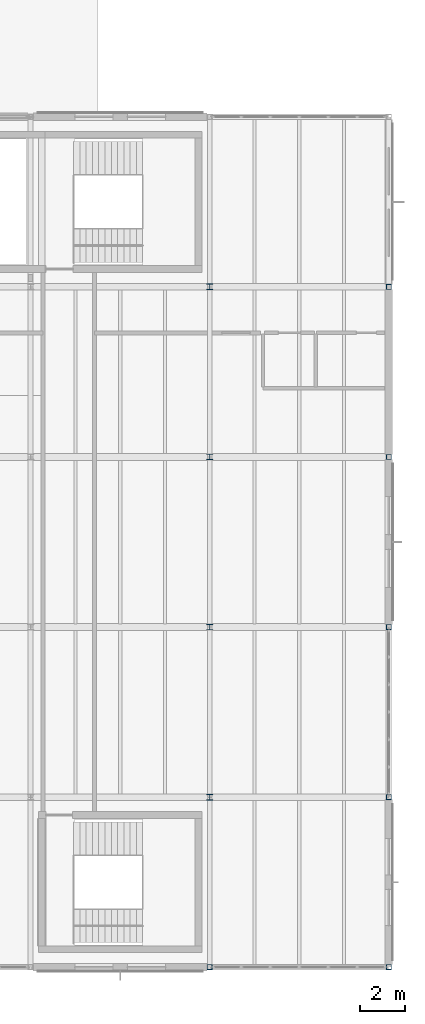
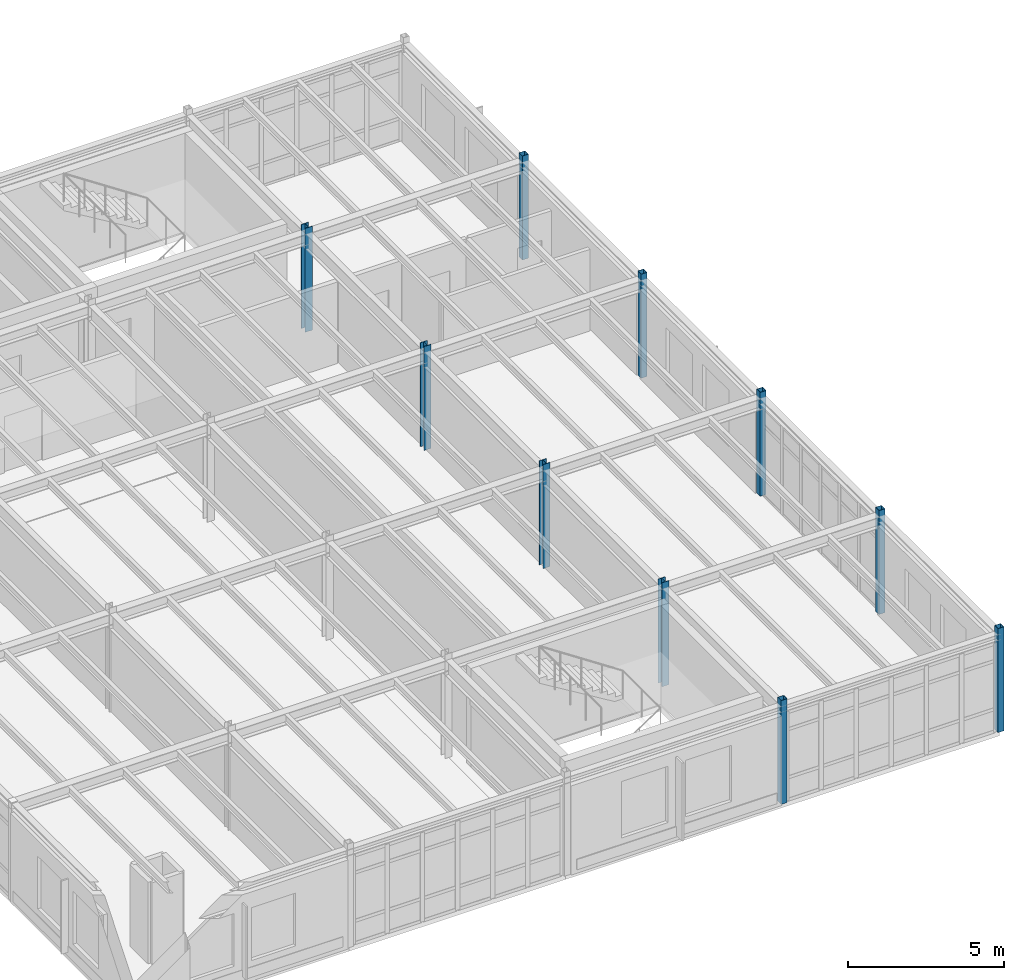
# One storey, part 14 of 114: 10 columns.
"""IFC4 building model written with IfcOpenShell, lengths in metres."""

from ifc_helpers import new_model, si_unit, direction, frame, origin, origin_2d, place, context, subcontext, project, spatial, hollow_rectangle, i_section, extrude, material, material_profile, profile_set, type_object, element, save


model = new_model("IFC4")

# Units and contexts
model_context = context("Model", 3, precision=1e-05, world=origin(), true_north=direction((0.0, 1.0)))
body_context = subcontext(model_context, "Body", "Model", "MODEL_VIEW")
ifc_project = project(units=[si_unit("LENGTHUNIT", "METRE"), si_unit("AREAUNIT", "SQUARE_METRE"), si_unit("VOLUMEUNIT", "CUBIC_METRE"), si_unit("PLANEANGLEUNIT", "RADIAN"), si_unit("MASSUNIT", "GRAM", prefix="KILO")], contexts=[model_context])

# Site, building, storey
site_placement = place(None, origin())
site = spatial("IfcSite", under=ifc_project, at=site_placement, CompositionType="ELEMENT")
building_placement = place(site_placement, origin())
building = spatial("IfcBuilding", under=site, at=building_placement, Name="Montecoro Central Library", CompositionType="ELEMENT")
storey_placement = place(building_placement, frame((0.0, 0.0, 13.260009765625)))
storey = spatial("IfcBuildingStorey", under=building, at=storey_placement, Name="L03", CompositionType="ELEMENT", Elevation=13.260009765625)

# Columns
ifc_material = material(Name="Steel S355", Category="steel")
ifc_material_profile_1 = material_profile(ifc_material, i_section(OverallWidth=0.260009765625, OverallDepth=0.260009765625, WebThickness=0.010009765625, FlangeThickness=0.017578125, at=origin_2d()), Name="HEB 260")
ifc_profile_set_1 = profile_set([ifc_material_profile_1], Name="Steel S355")
column_type_1 = type_object("IfcColumnType", Name="COL-HEB260", PredefinedType="COLUMN", material=ifc_profile_set_1)
for number, where, z_axis, x_axis, name in (
    (1, (165.0, 12.60009765625, 0.0), (0.0, 0.0, 1.0), (1.0, 0.0, 0.0), "V6-L03-COL-21-B"),
    (2, (165.0, 20.199951171875, 0.0), (0.0, 0.0, 1.0), (1.0, 0.0, 0.0), "V6-L03-COL-21-C"),
    (3, (165.0, 27.800048828125, 0.0), (0.0, 0.0, 1.0), (1.0, 0.0, 0.0), "V6-L03-COL-21-D"),
    (4, (165.0, 35.39990234375, 0.0), (0.0, 0.0, 1.0), (1.0, 0.0, 0.0), "V6-L03-COL-21-E"),
):
    element("IfcColumn", number, at=place(storey_placement, frame(where, z_axis=z_axis, x_axis=x_axis)), inside=storey, type_object=column_type_1, Name=name, PredefinedType="COLUMN", context=body_context, shape_type="SweptSolid", body=[
        extrude(i_section(OverallWidth=0.260009765625, OverallDepth=0.260009765625, WebThickness=0.010009765625, FlangeThickness=0.017578125, at=origin_2d()), origin(), (0.0, 0.0, 1.0), 4.054931640625),
    ])
ifc_material_profile_2 = material_profile(ifc_material, hollow_rectangle(XDim=0.219970703125, YDim=0.219970703125, WallThickness=0.010009765625, at=origin_2d()), Name="SHS 220x220x10.0")
ifc_profile_set_2 = profile_set([ifc_material_profile_2], Name="Steel S355")
column_type_2 = type_object("IfcColumnType", Name="COL-SHS220", PredefinedType="COLUMN", material=ifc_profile_set_2)
for number, where, z_axis, x_axis, name in (
    (5, (165.0, 5.0, 0.0), (0.0, 0.0, 1.0), (1.0, 0.0, 0.0), "V6-L03-COL-21-A"),
    (6, (173.0, 5.0, 0.0), (0.0, 0.0, 1.0), (1.0, 0.0, 0.0), "V6-L03-COL-22-A"),
    (7, (173.0, 12.60009765625, 0.0), (0.0, 0.0, 1.0), (1.0, 0.0, 0.0), "V6-L03-COL-22-B"),
    (8, (173.0, 20.199951171875, 0.0), (0.0, 0.0, 1.0), (1.0, 0.0, 0.0), "V6-L03-COL-22-C"),
    (9, (173.0, 27.800048828125, 0.0), (0.0, 0.0, 1.0), (1.0, 0.0, 0.0), "V6-L03-COL-22-D"),
    (10, (173.0, 35.39990234375, 0.0), (0.0, 0.0, 1.0), (1.0, 0.0, 0.0), "V6-L03-COL-22-E"),
):
    element("IfcColumn", number, at=place(storey_placement, frame(where, z_axis=z_axis, x_axis=x_axis)), inside=storey, type_object=column_type_2, Name=name, PredefinedType="COLUMN", context=body_context, shape_type="SweptSolid", body=[
        extrude(hollow_rectangle(XDim=0.219970703125, YDim=0.219970703125, WallThickness=0.010009765625, at=origin_2d()), origin(), (0.0, 0.0, 1.0), 4.054931640625),
    ])

save(model, "model.ifc")
